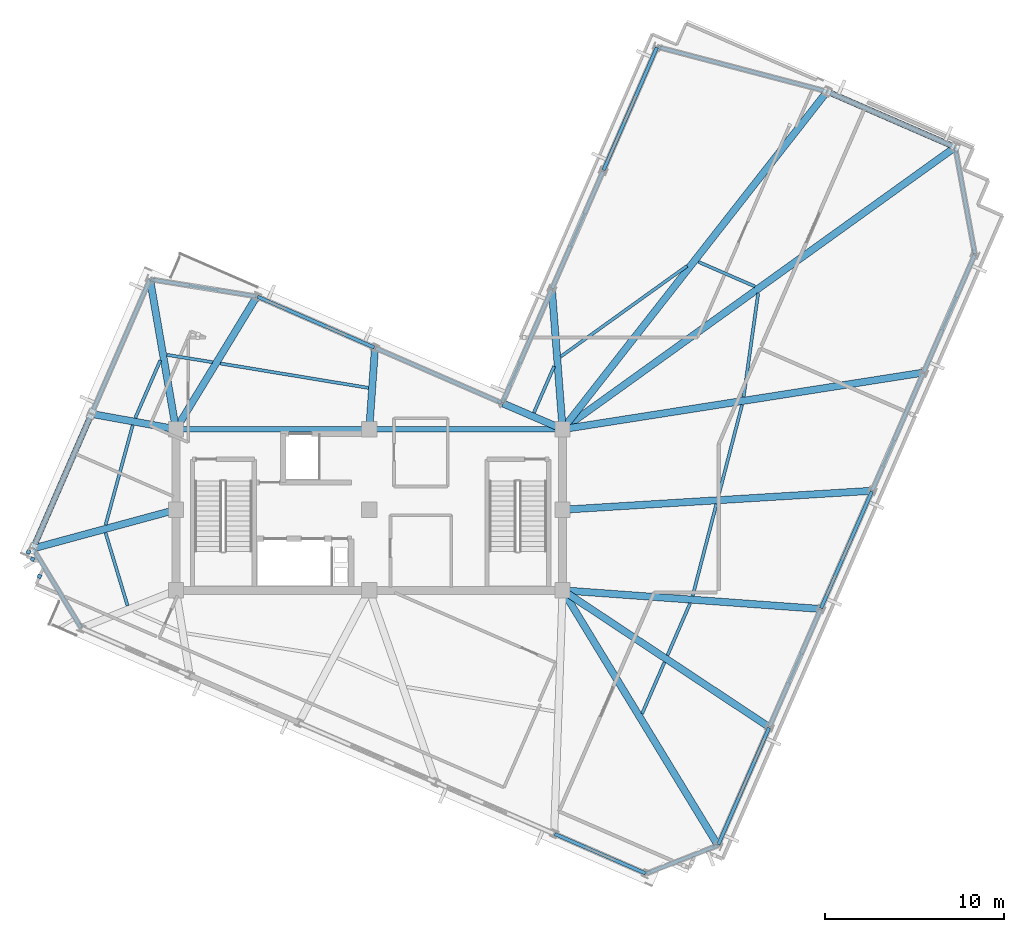
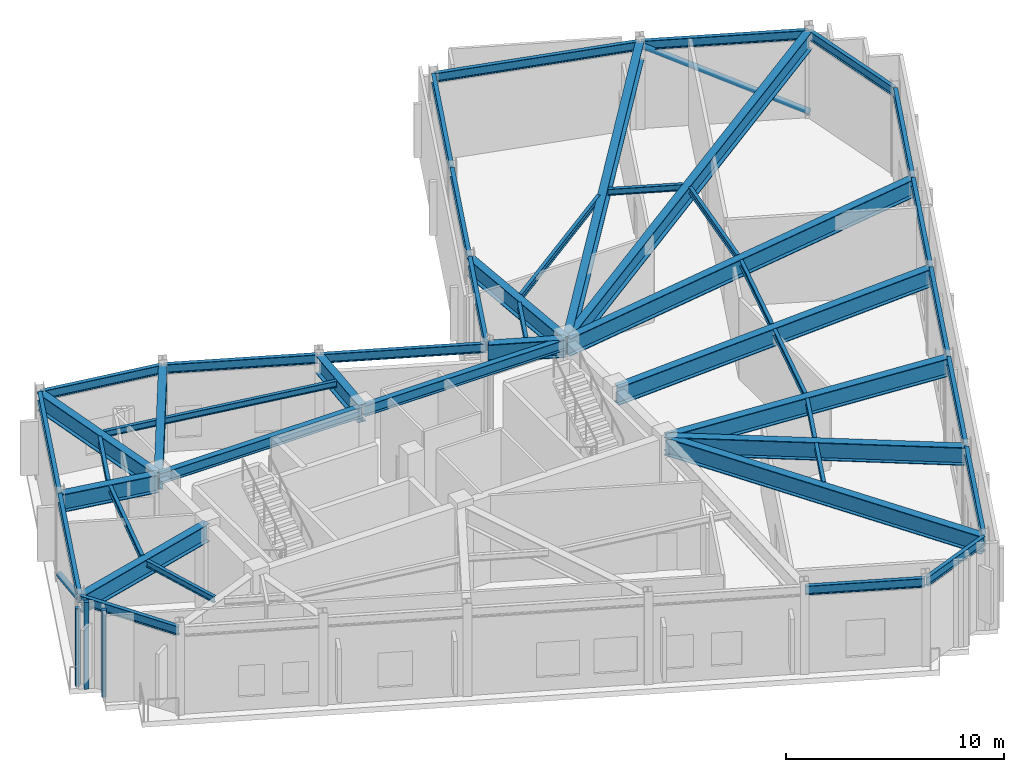
# One storey, part 3 of 12: 48 beams, 3 plates, 2 members.
"""IFC4 building model written with IfcOpenShell, lengths in metres."""

from ifc_helpers import new_model, si_unit, direction, frame, origin, origin_2d, place, context, subcontext, project, spatial, rectangle, hollow_circle, i_section, extrude, material, layer, layer_set, material_profile, profile_set, type_object, element, save


model = new_model("IFC4")

# Units and contexts
model_context = context("Model", 3, precision=1e-05, world=origin(), true_north=direction((0.0, 1.0)))
body_context = subcontext(model_context, "Body", "Model", "MODEL_VIEW")
ifc_project = project(units=[si_unit("LENGTHUNIT", "METRE"), si_unit("AREAUNIT", "SQUARE_METRE"), si_unit("VOLUMEUNIT", "CUBIC_METRE"), si_unit("PLANEANGLEUNIT", "RADIAN"), si_unit("MASSUNIT", "GRAM", prefix="KILO")], contexts=[model_context])

# Site, building, storey
site_placement = place(None, origin())
site = spatial("IfcSite", under=ifc_project, at=site_placement, CompositionType="ELEMENT")
building_placement = place(site_placement, origin())
building = spatial("IfcBuilding", under=site, at=building_placement, Name="Gaonmaruhae Medical Tower", CompositionType="ELEMENT")
storey_placement = place(building_placement, frame((0.0, 0.0, 342.60009765625)))
storey = spatial("IfcBuildingStorey", under=building, at=storey_placement, Name="L82", CompositionType="ELEMENT", Elevation=342.60009765625)

# Beams
ifc_material_1 = material(Name="Steel SM420", Category="steel")
ifc_material_profile_1 = material_profile(ifc_material_1, i_section(OverallWidth=0.39990234375, OverallDepth=1.0, WebThickness=0.02197265625, FlangeThickness=0.035888671875, at=origin_2d()), Name="BH-1000x400x22x36")
ifc_profile_set_1 = profile_set([ifc_material_profile_1], Name="Steel SM420")
beam_type_1 = type_object("IfcBeamType", Name="BG-02 Refuge Floor Primary Girder (BH-1000x400x22x36)", PredefinedType="BEAM", material=ifc_profile_set_1)
beam_1_placement = place(storey_placement, frame((35.6259765625, 7.75732421875, 4.349853515625), z_axis=(0.520036625826, -0.854143961988, 0.0), x_axis=(0.854143961988, 0.520036625826, 0.0)))
element("IfcBeam", 1, at=beam_1_placement, inside=storey, type_object=beam_type_1, Name="L82 Radial Primary Girder S01", PredefinedType="BEAM", context=body_context, shape_type="SweptSolid", body=[
    extrude(i_section(OverallWidth=0.39990234375, OverallDepth=1.0, WebThickness=0.02197265625, FlangeThickness=0.035888671875, at=origin_2d()), origin(), (0.0, 0.0, 1.0), 16.58154296875),
])
beam_2_placement = place(storey_placement, frame((35.6416015625, 7.7724609375, 4.349853515625), z_axis=(0.833770161097, -0.552111690208, 0.0), x_axis=(0.552111690208, 0.833770161097, 0.0)))
element("IfcBeam", 2, at=beam_2_placement, inside=storey, type_object=beam_type_1, Name="L82 Radial Primary Girder S02", PredefinedType="BEAM", context=body_context, shape_type="SweptSolid", body=[
    extrude(i_section(OverallWidth=0.39990234375, OverallDepth=1.0, WebThickness=0.02197265625, FlangeThickness=0.035888671875, at=origin_2d()), origin(), (0.0, 0.0, 1.0), 13.748291015625),
])
beam_3_placement = place(storey_placement, frame((35.64990234375, 7.79638671875, 4.349853515625), z_axis=(0.997394062708, -0.072146265841, 0.0), x_axis=(0.072146265841, 0.997394062708, 0.0)))
element("IfcBeam", 3, at=beam_3_placement, inside=storey, type_object=beam_type_1, Name="L82 Radial Primary Girder S03", PredefinedType="BEAM", context=body_context, shape_type="SweptSolid", body=[
    extrude(i_section(OverallWidth=0.39990234375, OverallDepth=1.0, WebThickness=0.02197265625, FlangeThickness=0.035888671875, at=origin_2d()), origin(), (0.0, 0.0, 1.0), 14.354736328125),
])
beam_4_placement = place(storey_placement, frame((35.64990234375, 12.302978515625, 4.349853515625), z_axis=(0.998125311209, 0.061203456791, 0.0), x_axis=(-0.061203456791, 0.998125311209, 0.0)))
element("IfcBeam", 4, at=beam_4_placement, inside=storey, type_object=beam_type_1, Name="L82 Radial Primary Girder S04", PredefinedType="BEAM", context=body_context, shape_type="SweptSolid", body=[
    extrude(i_section(OverallWidth=0.39990234375, OverallDepth=1.0, WebThickness=0.02197265625, FlangeThickness=0.035888671875, at=origin_2d()), origin(), (0.0, 0.0, 1.0), 17.220458984375),
])
beam_5_placement = place(storey_placement, frame((35.6494140625, 16.807861328125, 4.349853515625), z_axis=(0.987915736395, 0.15499192812, 0.0), x_axis=(-0.15499192812, 0.987915736395, 0.0)))
element("IfcBeam", 5, at=beam_5_placement, inside=storey, type_object=beam_type_1, Name="L82 Radial Primary Girder S05", PredefinedType="BEAM", context=body_context, shape_type="SweptSolid", body=[
    extrude(i_section(OverallWidth=0.39990234375, OverallDepth=1.0, WebThickness=0.02197265625, FlangeThickness=0.035888671875, at=origin_2d()), origin(), (0.0, 0.0, 1.0), 20.3056640625),
])
beam_6_placement = place(storey_placement, frame((35.640625, 16.8291015625, 4.349853515625), z_axis=(0.812127869731, 0.583479496818, 0.0), x_axis=(-0.583479496818, 0.812127869731, 0.0)))
element("IfcBeam", 6, at=beam_6_placement, inside=storey, type_object=beam_type_1, Name="L82 Radial Primary Girder E01", PredefinedType="BEAM", context=body_context, shape_type="SweptSolid", body=[
    extrude(i_section(OverallWidth=0.39990234375, OverallDepth=1.0, WebThickness=0.02197265625, FlangeThickness=0.035888671875, at=origin_2d()), origin(), (0.0, 0.0, 1.0), 26.89794921875),
])
beam_7_placement = place(storey_placement, frame((35.630859375, 16.83935546875, 4.349853515625), z_axis=(0.616575305367, 0.78729593725, 0.0), x_axis=(-0.78729593725, 0.616575305367, 0.0)))
element("IfcBeam", 7, at=beam_7_placement, inside=storey, type_object=beam_type_1, Name="L82 Radial Primary Girder E02", PredefinedType="BEAM", context=body_context, shape_type="SweptSolid", body=[
    extrude(i_section(OverallWidth=0.39990234375, OverallDepth=1.0, WebThickness=0.02197265625, FlangeThickness=0.035888671875, at=origin_2d()), origin(), (0.0, 0.0, 1.0), 23.859130859375),
])
beam_8_placement = place(storey_placement, frame((35.59619140625, 16.849853515625, 4.349853515625), z_axis=(-0.076722992115, 0.997052447207, 0.0), x_axis=(-0.997052447207, -0.076722992115, 0.0)))
element("IfcBeam", 8, at=beam_8_placement, inside=storey, type_object=beam_type_1, Name="L82 Radial Primary Girder EN02", PredefinedType="BEAM", context=body_context, shape_type="SweptSolid", body=[
    extrude(i_section(OverallWidth=0.39990234375, OverallDepth=1.0, WebThickness=0.02197265625, FlangeThickness=0.035888671875, at=origin_2d()), origin(), (0.0, 0.0, 1.0), 7.751708984375),
])
beam_9_placement = place(storey_placement, frame((35.55419921875, 16.81982421875, 4.349853515625), z_axis=(-0.918259431029, 0.395979314266, 0.0), x_axis=(-0.395979314266, -0.918259431029, 0.0)))
element("IfcBeam", 9, at=beam_9_placement, inside=storey, type_object=beam_type_1, Name="L82 Radial Primary Girder KN01", PredefinedType="BEAM", context=body_context, shape_type="SweptSolid", body=[
    extrude(i_section(OverallWidth=0.39990234375, OverallDepth=1.0, WebThickness=0.02197265625, FlangeThickness=0.035888671875, at=origin_2d()), origin(), (0.0, 0.0, 1.0), 3.57421875),
])
beam_10_placement = place(storey_placement, frame((24.803466796875, 16.849853515625, 4.349853515625), z_axis=(0.070012845455, 0.997546089898, 0.0), x_axis=(-0.997546089898, 0.070012845455, 0.0)))
element("IfcBeam", 10, at=beam_10_placement, inside=storey, type_object=beam_type_1, Name="L82 Radial Primary Girder NE01", PredefinedType="BEAM", context=body_context, shape_type="SweptSolid", body=[
    extrude(i_section(OverallWidth=0.39990234375, OverallDepth=1.0, WebThickness=0.02197265625, FlangeThickness=0.035888671875, at=origin_2d()), origin(), (0.0, 0.0, 1.0), 4.45654296875),
])
beam_11_placement = place(storey_placement, frame((14.026123046875, 16.8427734375, 4.349853515625), z_axis=(0.520106658264, 0.854101319534, 0.0), x_axis=(-0.854101319534, 0.520106658264, 0.0)))
element("IfcBeam", 11, at=beam_11_placement, inside=storey, type_object=beam_type_1, Name="L82 Radial Primary Girder NE02", PredefinedType="BEAM", context=body_context, shape_type="SweptSolid", body=[
    extrude(i_section(OverallWidth=0.39990234375, OverallDepth=1.0, WebThickness=0.02197265625, FlangeThickness=0.035888671875, at=origin_2d()), origin(), (0.0, 0.0, 1.0), 8.5830078125),
])
beam_12_placement = place(storey_placement, frame((13.991455078125, 16.849365234375, 4.349853515625), z_axis=(-0.170256429826, 0.985399791, 0.0), x_axis=(-0.985399791, -0.170256429826, 0.0)))
element("IfcBeam", 12, at=beam_12_placement, inside=storey, type_object=beam_type_1, Name="L82 Radial Primary Girder N01", PredefinedType="BEAM", context=body_context, shape_type="SweptSolid", body=[
    extrude(i_section(OverallWidth=0.39990234375, OverallDepth=1.0, WebThickness=0.02197265625, FlangeThickness=0.035888671875, at=origin_2d()), origin(), (0.0, 0.0, 1.0), 8.397216796875),
])
beam_13_placement = place(storey_placement, frame((13.95068359375, 16.808837890625, 4.349853515625), z_axis=(-0.984016905829, 0.17807506575, 0.0), x_axis=(-0.17807506575, -0.984016905829, 0.0)))
element("IfcBeam", 13, at=beam_13_placement, inside=storey, type_object=beam_type_1, Name="L82 Radial Primary Girder N02", PredefinedType="BEAM", context=body_context, shape_type="SweptSolid", body=[
    extrude(i_section(OverallWidth=0.39990234375, OverallDepth=1.0, WebThickness=0.02197265625, FlangeThickness=0.035888671875, at=origin_2d()), origin(), (0.0, 0.0, 1.0), 4.69287109375),
])
beam_14_placement = place(storey_placement, frame((13.95166015625, 12.286865234375, 4.349853515625), z_axis=(-0.965122679795, -0.261798038467, 0.0), x_axis=(0.261798038467, -0.965122679795, 0.0)))
element("IfcBeam", 14, at=beam_14_placement, inside=storey, type_object=beam_type_1, Name="L82 Radial Primary Girder N03", PredefinedType="BEAM", context=body_context, shape_type="SweptSolid", body=[
    extrude(i_section(OverallWidth=0.39990234375, OverallDepth=1.0, WebThickness=0.02197265625, FlangeThickness=0.035888671875, at=origin_2d()), origin(), (0.0, 0.0, 1.0), 8.1748046875),
])
ifc_material_2 = material(Name="Steel SM355", Category="steel")
ifc_material_profile_2 = material_profile(ifc_material_2, i_section(OverallWidth=0.175048828125, OverallDepth=0.35009765625, WebThickness=0.007080078125, FlangeThickness=0.010986328125, FilletRadius=0.012939453125, at=origin_2d()), Name="H-350x175x7x11")
ifc_profile_set_2 = profile_set([ifc_material_profile_2], Name="Steel SM355")
beam_type_2 = type_object("IfcBeamType", Name="FJ-02 Upper Zone Ward Floor Joist (H-350x175x7x11)", PredefinedType="JOIST", material=ifc_profile_set_2)
beam_15_placement = place(storey_placement, frame((40.03759765625, 0.905517578125, 4.6748046875), z_axis=(0.39874601067, 0.917061404146, 0.0), x_axis=(-0.917061404146, 0.39874601067, 0.0)))
element("IfcBeam", 15, at=beam_15_placement, inside=storey, type_object=beam_type_2, Name="L82 Secondary Floor Joist FJ01", PredefinedType="JOIST", context=body_context, shape_type="SweptSolid", body=[
    extrude(i_section(OverallWidth=0.175048828125, OverallDepth=0.35009765625, WebThickness=0.007080078125, FlangeThickness=0.010986328125, FilletRadius=0.012939453125, at=origin_2d()), origin(), (0.0, 0.0, 1.0), 3.140380859375),
])
beam_16_placement = place(storey_placement, frame((41.45654296875, 4.1689453125, 4.6748046875), z_axis=(0.398742993355, 0.917062716094, 0.0), x_axis=(-0.917062716094, 0.398742993355, 0.0)))
element("IfcBeam", 16, at=beam_16_placement, inside=storey, type_object=beam_type_2, Name="L82 Secondary Floor Joist FJ02", PredefinedType="JOIST", context=body_context, shape_type="SweptSolid", body=[
    extrude(i_section(OverallWidth=0.175048828125, OverallDepth=0.35009765625, WebThickness=0.007080078125, FlangeThickness=0.010986328125, FilletRadius=0.012939453125, at=origin_2d()), origin(), (0.0, 0.0, 1.0), 3.1728515625),
])
beam_17_placement = place(storey_placement, frame((42.86083984375, 7.481201171875, 4.6748046875), z_axis=(0.250373159945, 0.968149410359, 0.0), x_axis=(-0.968149410359, 0.250373159945, 0.0)))
element("IfcBeam", 17, at=beam_17_placement, inside=storey, type_object=beam_type_2, Name="L82 Secondary Floor Joist FJ03", PredefinedType="JOIST", context=body_context, shape_type="SweptSolid", body=[
    extrude(i_section(OverallWidth=0.175048828125, OverallDepth=0.35009765625, WebThickness=0.007080078125, FlangeThickness=0.010986328125, FilletRadius=0.012939453125, at=origin_2d()), origin(), (0.0, 0.0, 1.0), 5.30859375),
])
beam_18_placement = place(storey_placement, frame((44.298095703125, 13.03955078125, 4.6748046875), z_axis=(0.25037313325, 0.968149417263, 0.0), x_axis=(-0.968149417263, 0.25037313325, 0.0)))
element("IfcBeam", 18, at=beam_18_placement, inside=storey, type_object=beam_type_2, Name="L82 Secondary Floor Joist FJ04", PredefinedType="JOIST", context=body_context, shape_type="SweptSolid", body=[
    extrude(i_section(OverallWidth=0.175048828125, OverallDepth=0.35009765625, WebThickness=0.007080078125, FlangeThickness=0.010986328125, FilletRadius=0.012939453125, at=origin_2d()), origin(), (0.0, 0.0, 1.0), 5.2939453125),
])
beam_19_placement = place(storey_placement, frame((45.70947265625, 18.594482421875, 4.6748046875), z_axis=(0.138970704931, 0.990296492557, 0.0), x_axis=(-0.990296492557, 0.138970704931, 0.0)))
element("IfcBeam", 19, at=beam_19_placement, inside=storey, type_object=beam_type_2, Name="L82 Secondary Floor Joist FJ05", PredefinedType="JOIST", context=body_context, shape_type="SweptSolid", body=[
    extrude(i_section(OverallWidth=0.175048828125, OverallDepth=0.35009765625, WebThickness=0.007080078125, FlangeThickness=0.010986328125, FilletRadius=0.012939453125, at=origin_2d()), origin(), (0.0, 0.0, 1.0), 5.85888671875),
])
beam_20_placement = place(storey_placement, frame((46.34375, 24.771484375, 4.6748046875), z_axis=(-0.917037412136, 0.39880118448, 0.0), x_axis=(-0.39880118448, -0.917037412136, 0.0)))
element("IfcBeam", 20, at=beam_20_placement, inside=storey, type_object=beam_type_2, Name="L82 Secondary Floor Joist FJ06", PredefinedType="JOIST", context=body_context, shape_type="SweptSolid", body=[
    extrude(i_section(OverallWidth=0.175048828125, OverallDepth=0.35009765625, WebThickness=0.007080078125, FlangeThickness=0.010986328125, FilletRadius=0.012939453125, at=origin_2d()), origin(), (0.0, 0.0, 1.0), 3.448486328125),
])
beam_21_placement = place(storey_placement, frame((42.553955078125, 25.921142578125, 4.6748046875), z_axis=(-0.812434971378, -0.583051813548, 0.0), x_axis=(0.583051813548, -0.812434971378, 0.0)))
element("IfcBeam", 21, at=beam_21_placement, inside=storey, type_object=beam_type_2, Name="L82 Secondary Floor Joist FJ07", PredefinedType="JOIST", context=body_context, shape_type="SweptSolid", body=[
    extrude(i_section(OverallWidth=0.175048828125, OverallDepth=0.35009765625, WebThickness=0.007080078125, FlangeThickness=0.010986328125, FilletRadius=0.012939453125, at=origin_2d()), origin(), (0.0, 0.0, 1.0), 8.690185546875),
])
beam_22_placement = place(storey_placement, frame((35.1259765625, 20.31689453125, 4.6748046875), z_axis=(-0.398704074368, -0.917079637263, 0.0), x_axis=(0.917079637263, -0.398704074368, 0.0)))
element("IfcBeam", 22, at=beam_22_placement, inside=storey, type_object=beam_type_2, Name="L82 Secondary Floor Joist FJ08", PredefinedType="JOIST", context=body_context, shape_type="SweptSolid", body=[
    extrude(i_section(OverallWidth=0.175048828125, OverallDepth=0.35009765625, WebThickness=0.007080078125, FlangeThickness=0.010986328125, FilletRadius=0.012939453125, at=origin_2d()), origin(), (0.0, 0.0, 1.0), 2.835693359375),
])
beam_23_placement = place(storey_placement, frame((24.75537109375, 19.106201171875, 4.6748046875), z_axis=(-0.986663894193, 0.162770881598, 0.0), x_axis=(-0.162770881598, -0.986663894193, 0.0)))
element("IfcBeam", 23, at=beam_23_placement, inside=storey, type_object=beam_type_2, Name="L82 Secondary Floor Joist FJ10", PredefinedType="JOIST", context=body_context, shape_type="SweptSolid", body=[
    extrude(i_section(OverallWidth=0.175048828125, OverallDepth=0.35009765625, WebThickness=0.007080078125, FlangeThickness=0.010986328125, FilletRadius=0.012939453125, at=origin_2d()), origin(), (0.0, 0.0, 1.0), 8.390380859375),
])
beam_24_placement = place(storey_placement, frame((16.038818359375, 20.543212890625, 4.6748046875), z_axis=(-0.987360795074, 0.158488675779, 0.0), x_axis=(-0.158488675779, -0.987360795074, 0.0)))
element("IfcBeam", 24, at=beam_24_placement, inside=storey, type_object=beam_type_2, Name="L82 Secondary Floor Joist FJ11", PredefinedType="JOIST", context=body_context, shape_type="SweptSolid", body=[
    extrude(i_section(OverallWidth=0.175048828125, OverallDepth=0.35009765625, WebThickness=0.007080078125, FlangeThickness=0.010986328125, FilletRadius=0.012939453125, at=origin_2d()), origin(), (0.0, 0.0, 1.0), 2.580322265625),
])
beam_25_placement = place(storey_placement, frame((13.12890625, 20.64697265625, 4.6748046875), z_axis=(-0.398746411425, -0.917061229895, 0.0), x_axis=(0.917061229895, -0.398746411425, 0.0)))
element("IfcBeam", 25, at=beam_25_placement, inside=storey, type_object=beam_type_2, Name="L82 Secondary Floor Joist FJ12", PredefinedType="JOIST", context=body_context, shape_type="SweptSolid", body=[
    extrude(i_section(OverallWidth=0.175048828125, OverallDepth=0.35009765625, WebThickness=0.007080078125, FlangeThickness=0.010986328125, FilletRadius=0.012939453125, at=origin_2d()), origin(), (0.0, 0.0, 1.0), 3.51806640625),
])
beam_26_placement = place(storey_placement, frame((11.58740234375, 17.027099609375, 4.6748046875), z_axis=(-0.262477989376, -0.964937979921, 0.0), x_axis=(0.964937979921, -0.262477989376, 0.0)))
element("IfcBeam", 26, at=beam_26_placement, inside=storey, type_object=beam_type_2, Name="L82 Secondary Floor Joist FJ13", PredefinedType="JOIST", context=body_context, shape_type="SweptSolid", body=[
    extrude(i_section(OverallWidth=0.175048828125, OverallDepth=0.35009765625, WebThickness=0.007080078125, FlangeThickness=0.010986328125, FilletRadius=0.012939453125, at=origin_2d()), origin(), (0.0, 0.0, 1.0), 5.78369140625),
])
beam_27_placement = place(storey_placement, frame((10.06640625, 11.01953125, 4.6748046875), z_axis=(0.289103701868, -0.957297785209, 0.0), x_axis=(0.957297785209, 0.289103701868, 0.0)))
element("IfcBeam", 27, at=beam_27_placement, inside=storey, type_object=beam_type_2, Name="L82 Secondary Floor Joist FJ14", PredefinedType="JOIST", context=body_context, shape_type="SweptSolid", body=[
    extrude(i_section(OverallWidth=0.175048828125, OverallDepth=0.35009765625, WebThickness=0.007080078125, FlangeThickness=0.010986328125, FilletRadius=0.012939453125, at=origin_2d()), origin(), (0.0, 0.0, 1.0), 4.259521484375),
])

# Members
ifc_material_profile_3 = material_profile(ifc_material_2, hollow_circle(Radius=0.1591796875, WallThickness=0.01025390625, at=origin_2d()), Name="CHS-318.5x10.3")
ifc_profile_set_3 = profile_set([ifc_material_profile_3], Name="Steel SM355")
member_type = type_object("IfcMemberType", Name="PB-03 Perimeter Solid-Bay Tube Brace Upper (CHS-318.5x10.3)", PredefinedType="BRACE", material=ifc_profile_set_3)
member_1_placement = place(storey_placement, frame((57.525634765625, 32.552734375, 0.25), z_axis=(-0.800928268351, 0.348249887723, 0.487068706301), x_axis=(-0.398745568807, -0.917061596272, 0.0)))
element("IfcMember", 28, at=member_1_placement, inside=storey, type_object=member_type, Name="L82 Perimeter Tube Solid-Bay Brace E01-E02", PredefinedType="BRACE", context=body_context, shape_type="SweptSolid", body=[
    extrude(hollow_circle(Radius=0.1591796875, WallThickness=0.01025390625, at=origin_2d()), origin(), (0.0, 0.0, 1.0), 8.9306640625),
])
member_2_placement = place(storey_placement, frame((9.283447265625, 17.653564453125, 0.25), z_axis=(-0.352254566445, -0.810135530175, 0.468611932378), x_axis=(0.917061062653, -0.398746796056, 0.0)))
element("IfcMember", 29, at=member_2_placement, inside=storey, type_object=member_type, Name="L82 Perimeter Tube Solid-Bay Brace N02-N03", PredefinedType="BRACE", context=body_context, shape_type="SweptSolid", body=[
    extrude(hollow_circle(Radius=0.1591796875, WallThickness=0.01025390625, at=origin_2d()), origin(), (0.0, 0.0, 1.0), 9.282470703125),
])

# Beams
ifc_material_profile_4 = material_profile(ifc_material_1, i_section(OverallWidth=0.300048828125, OverallDepth=0.60009765625, WebThickness=0.011962890625, FlangeThickness=0.02001953125, FilletRadius=0.012939453125, at=origin_2d()), Name="H-600x300x12x20")
ifc_profile_set_4 = profile_set([ifc_material_profile_4], Name="Steel SM420")
beam_type_3 = type_object("IfcBeamType", Name="PG-04 Zone 4 Radial Floor Girder (H-600x300x12x20)", PredefinedType="BEAM", material=ifc_profile_set_4)
for number, where, z_axis, x_axis, name in (
    (30, (14.050048828125, 16.800048828125, 4.5498046875), (1.0, 0.0, 0.0), (0.0, 1.0, 0.0), "L82 Beam BM-L82-CG-N1"),
    (31, (24.85009765625, 16.800048828125, 4.5498046875), (1.0, 0.0, 0.0), (0.0, 1.0, 0.0), "L82 Beam BM-L82-CG-N2"),
):
    element("IfcBeam", number, at=place(storey_placement, frame(where, z_axis=z_axis, x_axis=x_axis)), inside=storey, type_object=beam_type_3, Name=name, PredefinedType="BEAM", context=body_context, shape_type="SweptSolid", body=[
        extrude(i_section(OverallWidth=0.300048828125, OverallDepth=0.60009765625, WebThickness=0.011962890625, FlangeThickness=0.02001953125, FilletRadius=0.012939453125, at=origin_2d()), origin(), (0.0, 0.0, 1.0), 10.699951171875),
    ])
ifc_material_profile_5 = material_profile(ifc_material_2, i_section(OverallWidth=0.199951171875, OverallDepth=0.5, WebThickness=0.010009765625, FlangeThickness=0.01611328125, FilletRadius=0.012939453125, at=origin_2d()), Name="H-500x200x10x16")
ifc_profile_set_5 = profile_set([ifc_material_profile_5], Name="Steel SM355")
beam_type_4 = type_object("IfcBeamType", Name="SP-02 Upper Perimeter Spandrel Beam (H-500x200x10x16)", PredefinedType="SPANDREL", material=ifc_profile_set_5)
beam_28_placement = place(storey_placement, frame((44.291015625, -6.411865234375, 4.599853515625), z_axis=(0.398747426125, 0.917060788693, 0.0), x_axis=(-0.917060788693, 0.398747426125, 0.0)))
element("IfcBeam", 32, at=beam_28_placement, inside=storey, type_object=beam_type_4, Name="L82 Perimeter Spandrel Beam S01-S02", PredefinedType="SPANDREL", context=body_context, shape_type="SweptSolid", body=[
    extrude(i_section(OverallWidth=0.199951171875, OverallDepth=0.5, WebThickness=0.010009765625, FlangeThickness=0.01611328125, FilletRadius=0.012939453125, at=origin_2d()), origin(), (0.0, 0.0, 1.0), 7.1201171875),
])
beam_29_placement = place(storey_placement, frame((47.162109375, 0.191162109375, 4.599853515625), z_axis=(0.398759965154, 0.917055336493, 0.0), x_axis=(-0.917055336493, 0.398759965154, 0.0)))
element("IfcBeam", 33, at=beam_29_placement, inside=storey, type_object=beam_type_4, Name="L82 Perimeter Spandrel Beam S02-S03", PredefinedType="SPANDREL", context=body_context, shape_type="SweptSolid", body=[
    extrude(i_section(OverallWidth=0.199951171875, OverallDepth=0.5, WebThickness=0.010009765625, FlangeThickness=0.01611328125, FilletRadius=0.012939453125, at=origin_2d()), origin(), (0.0, 0.0, 1.0), 7.119873046875),
])
for number, where, z_axis, x_axis, name in (
    (34, (50.032958984375, 6.7939453125, 4.599853515625), (0.398747426125, 0.917060788693, 0.0), (-0.917060788693, 0.398747426125, 0.0), "L82 Perimeter Spandrel Beam S03-S04"),
    (35, (52.904052734375, 13.396728515625, 4.599853515625), (0.398747426125, 0.917060788693, 0.0), (-0.917060788693, 0.398747426125, 0.0), "L82 Perimeter Spandrel Beam S04-S05"),
):
    element("IfcBeam", number, at=place(storey_placement, frame(where, z_axis=z_axis, x_axis=x_axis)), inside=storey, type_object=beam_type_4, Name=name, PredefinedType="SPANDREL", context=body_context, shape_type="SweptSolid", body=[
        extrude(i_section(OverallWidth=0.199951171875, OverallDepth=0.5, WebThickness=0.010009765625, FlangeThickness=0.01611328125, FilletRadius=0.012939453125, at=origin_2d()), origin(), (0.0, 0.0, 1.0), 7.1201171875),
    ])
beam_30_placement = place(storey_placement, frame((55.775146484375, 19.99951171875, 4.599853515625), z_axis=(0.398718588421, 0.917073327083, 0.0), x_axis=(-0.917073327083, 0.398718588421, 0.0)))
element("IfcBeam", 36, at=beam_30_placement, inside=storey, type_object=beam_type_4, Name="L82 Perimeter Spandrel Beam S05-S06", PredefinedType="SPANDREL", context=body_context, shape_type="SweptSolid", body=[
    extrude(i_section(OverallWidth=0.199951171875, OverallDepth=0.5, WebThickness=0.010009765625, FlangeThickness=0.01611328125, FilletRadius=0.012939453125, at=origin_2d()), origin(), (0.0, 0.0, 1.0), 7.119873046875),
])
beam_31_placement = place(storey_placement, frame((58.622802734375, 26.60498046875, 4.599853515625), z_axis=(-0.181402379506, 0.983408957001, 0.0), x_axis=(-0.983408957001, -0.181402379506, 0.0)))
element("IfcBeam", 37, at=beam_31_placement, inside=storey, type_object=beam_type_4, Name="L82 Perimeter Spandrel Beam S06-E01", PredefinedType="SPANDREL", context=body_context, shape_type="SweptSolid", body=[
    extrude(i_section(OverallWidth=0.199951171875, OverallDepth=0.5, WebThickness=0.010009765625, FlangeThickness=0.01611328125, FilletRadius=0.012939453125, at=origin_2d()), origin(), (0.0, 0.0, 1.0), 6.0078125),
])
beam_32_placement = place(storey_placement, frame((57.489013671875, 32.568603515625, 4.599853515625), z_axis=(-0.91705648068, 0.398757333778, 0.0), x_axis=(-0.398757333778, -0.91705648068, 0.0)))
element("IfcBeam", 38, at=beam_32_placement, inside=storey, type_object=beam_type_4, Name="L82 Perimeter Spandrel Beam E01-E02", PredefinedType="SPANDREL", context=body_context, shape_type="SweptSolid", body=[
    extrude(i_section(OverallWidth=0.199951171875, OverallDepth=0.5, WebThickness=0.010009765625, FlangeThickness=0.01611328125, FilletRadius=0.012939453125, at=origin_2d()), origin(), (0.0, 0.0, 1.0), 7.719970703125),
])
beam_33_placement = place(storey_placement, frame((50.333984375, 35.673095703125, 4.599853515625), z_axis=(-0.967227039177, 0.253913084904, 0.0), x_axis=(-0.253913084904, -0.967227039177, 0.0)))
element("IfcBeam", 39, at=beam_33_placement, inside=storey, type_object=beam_type_4, Name="L82 Perimeter Spandrel Beam E02-E03", PredefinedType="SPANDREL", context=body_context, shape_type="SweptSolid", body=[
    extrude(i_section(OverallWidth=0.199951171875, OverallDepth=0.5, WebThickness=0.010009765625, FlangeThickness=0.01611328125, FilletRadius=0.012939453125, at=origin_2d()), origin(), (0.0, 0.0, 1.0), 9.7353515625),
])
beam_34_placement = place(storey_placement, frame((40.863037109375, 38.118408203125, 4.599853515625), z_axis=(-0.398738062403, -0.917064860079, 0.0), x_axis=(0.917064860079, -0.398738062403, 0.0)))
element("IfcBeam", 40, at=beam_34_placement, inside=storey, type_object=beam_type_4, Name="L82 Perimeter Spandrel Beam E03-EN01", PredefinedType="SPANDREL", context=body_context, shape_type="SweptSolid", body=[
    extrude(i_section(OverallWidth=0.199951171875, OverallDepth=0.5, WebThickness=0.010009765625, FlangeThickness=0.01611328125, FilletRadius=0.012939453125, at=origin_2d()), origin(), (0.0, 0.0, 1.0), 7.469970703125),
])
beam_35_placement = place(storey_placement, frame((37.8525390625, 31.194580078125, 4.599853515625), z_axis=(-0.398759965154, -0.917055336493, 0.0), x_axis=(0.917055336493, -0.398759965154, 0.0)))
element("IfcBeam", 41, at=beam_35_placement, inside=storey, type_object=beam_type_4, Name="L82 Perimeter Spandrel Beam EN01-EN02", PredefinedType="SPANDREL", context=body_context, shape_type="SweptSolid", body=[
    extrude(i_section(OverallWidth=0.199951171875, OverallDepth=0.5, WebThickness=0.010009765625, FlangeThickness=0.01611328125, FilletRadius=0.012939453125, at=origin_2d()), origin(), (0.0, 0.0, 1.0), 7.119873046875),
])
beam_36_placement = place(storey_placement, frame((34.981689453125, 24.591796875, 4.599853515625), z_axis=(-0.398768993563, -0.917051410649, 0.0), x_axis=(0.917051410649, -0.398768993563, 0.0)))
element("IfcBeam", 42, at=beam_36_placement, inside=storey, type_object=beam_type_4, Name="L82 Perimeter Spandrel Beam EN02-KN01", PredefinedType="SPANDREL", context=body_context, shape_type="SweptSolid", body=[
    extrude(i_section(OverallWidth=0.199951171875, OverallDepth=0.5, WebThickness=0.010009765625, FlangeThickness=0.01611328125, FilletRadius=0.012939453125, at=origin_2d()), origin(), (0.0, 0.0, 1.0), 6.869873046875),
])
beam_37_placement = place(storey_placement, frame((32.189453125, 18.27099609375, 4.599853515625), z_axis=(-0.917059428629, 0.398750554059, 0.0), x_axis=(-0.398750554059, -0.917059428629, 0.0)))
element("IfcBeam", 43, at=beam_37_placement, inside=storey, type_object=beam_type_4, Name="L82 Perimeter Spandrel Beam KN01-NE01", PredefinedType="SPANDREL", context=body_context, shape_type="SweptSolid", body=[
    extrude(i_section(OverallWidth=0.199951171875, OverallDepth=0.5, WebThickness=0.010009765625, FlangeThickness=0.01611328125, FilletRadius=0.012939453125, at=origin_2d()), origin(), (0.0, 0.0, 1.0), 7.669921875),
])
beam_38_placement = place(storey_placement, frame((25.082275390625, 21.361083984375, 4.599853515625), z_axis=(-0.917055336493, 0.398759965154, 0.0), x_axis=(-0.398759965154, -0.917055336493, 0.0)))
element("IfcBeam", 44, at=beam_38_placement, inside=storey, type_object=beam_type_4, Name="L82 Perimeter Spandrel Beam NE01-NE02", PredefinedType="SPANDREL", context=body_context, shape_type="SweptSolid", body=[
    extrude(i_section(OverallWidth=0.199951171875, OverallDepth=0.5, WebThickness=0.010009765625, FlangeThickness=0.01611328125, FilletRadius=0.012939453125, at=origin_2d()), origin(), (0.0, 0.0, 1.0), 7.119873046875),
])
beam_39_placement = place(storey_placement, frame((18.4765625, 24.22265625, 4.599853515625), z_axis=(-0.987363817678, 0.158469844265, 0.0), x_axis=(-0.158469844265, -0.987363817678, 0.0)))
element("IfcBeam", 45, at=beam_39_placement, inside=storey, type_object=beam_type_4, Name="L82 Perimeter Spandrel Beam NE02-N01", PredefinedType="SPANDREL", context=body_context, shape_type="SweptSolid", body=[
    extrude(i_section(OverallWidth=0.199951171875, OverallDepth=0.5, WebThickness=0.010009765625, FlangeThickness=0.01611328125, FilletRadius=0.012939453125, at=origin_2d()), origin(), (0.0, 0.0, 1.0), 5.958984375),
])
for number, where, z_axis, x_axis, name in (
    (46, (12.537353515625, 25.13671875, 4.599853515625), (-0.398743701995, -0.917062407974, 0.0), (0.917062407974, -0.398743701995, 0.0), "L82 Perimeter Spandrel Beam N01-N02"),
    (47, (9.267578125, 17.61669921875, 4.599853515625), (-0.398743701995, -0.917062407974, 0.0), (0.917062407974, -0.398743701995, 0.0), "L82 Perimeter Spandrel Beam N02-N03"),
):
    element("IfcBeam", number, at=place(storey_placement, frame(where, z_axis=z_axis, x_axis=x_axis)), inside=storey, type_object=beam_type_4, Name=name, PredefinedType="SPANDREL", context=body_context, shape_type="SweptSolid", body=[
        extrude(i_section(OverallWidth=0.199951171875, OverallDepth=0.5, WebThickness=0.010009765625, FlangeThickness=0.01611328125, FilletRadius=0.012939453125, at=origin_2d()), origin(), (0.0, 0.0, 1.0), 8.119873046875),
    ])
beam_40_placement = place(storey_placement, frame((6.034423828125, 10.099365234375, 4.599853515625), z_axis=(0.519289042516, -0.854598672081, 0.0), x_axis=(0.854598672081, 0.519289042516, 0.0)))
element("IfcBeam", 48, at=beam_40_placement, inside=storey, type_object=beam_type_4, Name="L82 Perimeter Spandrel Beam N03-W01", PredefinedType="SPANDREL", context=body_context, shape_type="SweptSolid", body=[
    extrude(i_section(OverallWidth=0.199951171875, OverallDepth=0.5, WebThickness=0.010009765625, FlangeThickness=0.01611328125, FilletRadius=0.012939453125, at=origin_2d()), origin(), (0.0, 0.0, 1.0), 5.122314453125),
])
beam_41_placement = place(storey_placement, frame((35.1630859375, -5.812255859375, 4.599853515625), z_axis=(0.917050366415, -0.398771394984, 0.0), x_axis=(0.398771394984, 0.917050366415, 0.0)))
element("IfcBeam", 49, at=beam_41_placement, inside=storey, type_object=beam_type_4, Name="L82 Perimeter Spandrel Beam W05-W06", PredefinedType="SPANDREL", context=body_context, shape_type="SweptSolid", body=[
    extrude(i_section(OverallWidth=0.199951171875, OverallDepth=0.5, WebThickness=0.010009765625, FlangeThickness=0.01611328125, FilletRadius=0.012939453125, at=origin_2d()), origin(), (0.0, 0.0, 1.0), 5.519775390625),
])
beam_42_placement = place(storey_placement, frame((40.299072265625, -8.0146484375, 4.599853515625), z_axis=(0.930416736169, 0.366503338397, 0.0), x_axis=(-0.366503338397, 0.930416736169, 0.0)))
element("IfcBeam", 50, at=beam_42_placement, inside=storey, type_object=beam_type_4, Name="L82 Perimeter Spandrel Beam W06-S01", PredefinedType="SPANDREL", context=body_context, shape_type="SweptSolid", body=[
    extrude(i_section(OverallWidth=0.199951171875, OverallDepth=0.5, WebThickness=0.010009765625, FlangeThickness=0.01611328125, FilletRadius=0.012939453125, at=origin_2d()), origin(), (0.0, 0.0, 1.0), 4.2333984375),
])

# Plates
ifc_material_3 = material(Name="Anodised aluminium 6063-T6", Category="aluminium")
ifc_layer = layer(ifc_material_3, 0.011962890625)
ifc_layer_set = layer_set([ifc_layer], Name="Anodised aluminium 6063-T6")
plate_type = type_object("IfcPlateType", Name="PP-01 Interior Partition Corner Stiffener Plate", PredefinedType="SHEET", material=ifc_layer_set)
plate_placement = place(storey_placement, frame((5.7666015625, 9.94091796875, 0.0), z_axis=(0.0, 0.0, 1.0), x_axis=(0.398524976976, 0.917157479786, 0.0)))
element("IfcPlate", 51, at=plate_placement, inside=storey, type_object=plate_type, Name="L82 Partition Corner Stiffener Plate PLT-L82-JGP-PW039", PredefinedType="SHEET", context=body_context, shape_type="SweptSolid", body=[
    extrude(rectangle(XDim=0.219970703125, YDim=0.219970703125, at=origin_2d()), origin(), (0.0, 0.0, 1.0), 4.3349609375),
])
for number, where, z_axis, x_axis, name in (
    (52, (6.37451171875, 8.580078125, -0.000244140625), (0.0, 0.0, 1.0), (0.399693194693, 0.91664897868, 0.0), "L82 Partition Corner Stiffener Plate PLT-L82-JGP-PW043"),
    (53, (5.991455078125, 9.54345703125, -0.000244140625), (0.0, 0.0, 1.0), (-0.917004389573, 0.39887711078, 0.0), "L82 Partition Corner Stiffener Plate PLT-L82-JGP-PW044"),
):
    element("IfcPlate", number, at=place(storey_placement, frame(where, z_axis=z_axis, x_axis=x_axis)), inside=storey, type_object=plate_type, Name=name, PredefinedType="SHEET", context=body_context, shape_type="SweptSolid", body=[
        extrude(rectangle(XDim=0.219970703125, YDim=0.219970703125, at=origin_2d()), origin(), (0.0, 0.0, 1.0), 4.85009765625),
    ])

save(model, "model.ifc")
